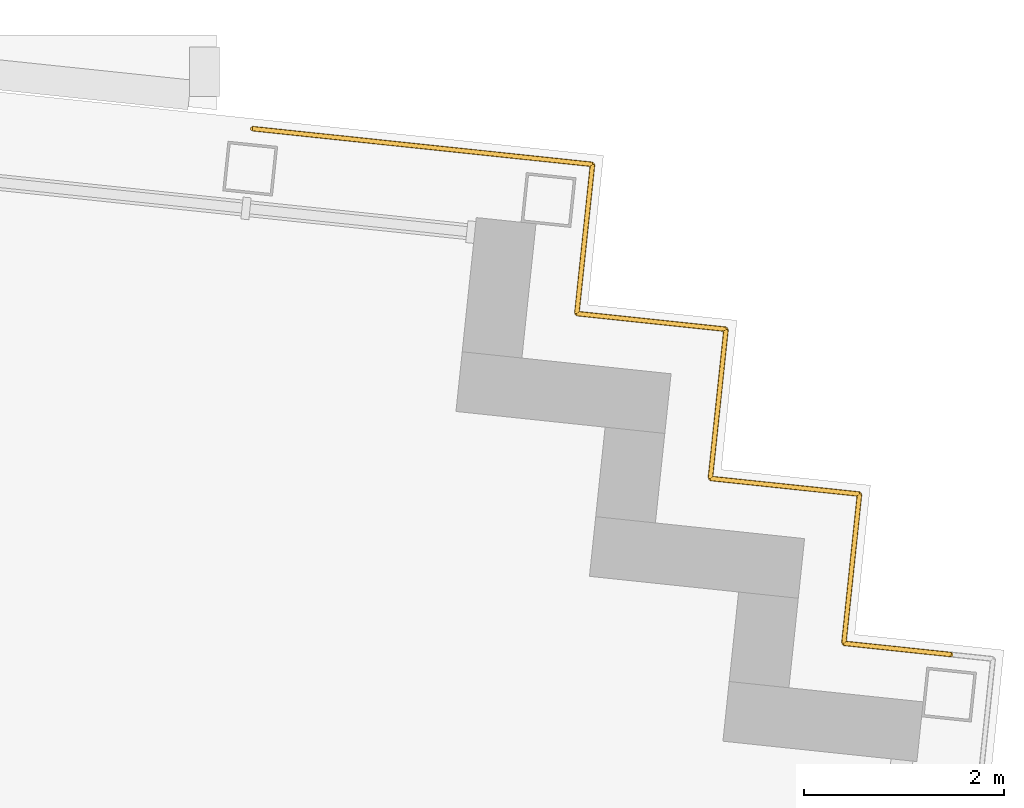
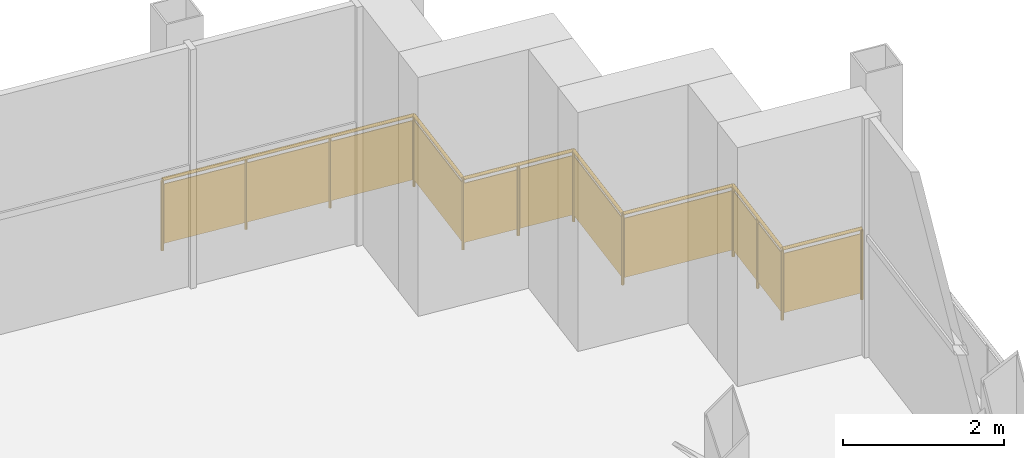
# One storey, part 18 of 18: 1 railing.
"""IFC4 building model written with IfcOpenShell, lengths in metres."""

from ifc_helpers import new_model, si_unit, direction, frame, origin, origin_2d, place, context, subcontext, project, spatial, rectangle, circle, extrude, material, type_object, element, save


model = new_model("IFC4")

# Units and contexts
model_context = context("Model", 3, precision=1e-05, world=origin(), true_north=direction((0.0, 1.0)))
body_context = subcontext(model_context, "Body", "Model", "MODEL_VIEW")
ifc_project = project(units=[si_unit("LENGTHUNIT", "METRE"), si_unit("AREAUNIT", "SQUARE_METRE"), si_unit("VOLUMEUNIT", "CUBIC_METRE"), si_unit("PLANEANGLEUNIT", "RADIAN"), si_unit("MASSUNIT", "GRAM", prefix="KILO")], contexts=[model_context])

# Site, building, storey
site_placement = place(None, origin())
site = spatial("IfcSite", under=ifc_project, at=site_placement, CompositionType="ELEMENT")
building_placement = place(site_placement, origin())
building = spatial("IfcBuilding", under=site, at=building_placement, Name="Vidyagriha Tower", CompositionType="ELEMENT")
storey_placement = place(building_placement, frame((0.0, 0.0, 249.199951171875)))
storey = spatial("IfcBuildingStorey", under=building, at=storey_placement, Name="L64", CompositionType="ELEMENT", Elevation=249.199951171875)

# Railing
ifc_material = material(Name="Steel ASTM A500 Grade C black painted", Category="steel")
railing_type = type_object("IfcRailingType", Name="Gallery guard 1100", PredefinedType="GUARDRAIL", material=ifc_material)
railing_placement = place(storey_placement, frame((25.860107421875, 19.06201171875, 0.0)))
element("IfcRailing", 1, at=railing_placement, inside=storey, type_object=railing_type, Name="Gallery guard L64 5", PredefinedType="GUARDRAIL", context=body_context, shape_type="SweptSolid", body=[
    extrude(circle(Radius=0.02490234375, at=origin_2d()), frame((0.0, 0.0, 1.0751953125), z_axis=(0.994524211941, -0.104506420204, 0.0), x_axis=(0.104506420204, 0.994524211941, 0.0)), (0.0, 0.0, 1.0), 3.420166015625),
    extrude(circle(Radius=0.02490234375, at=origin_2d()), frame((3.4013671875, -0.357421875, 1.0751953125), z_axis=(-0.104659366031, -0.994508128223, 0.0), x_axis=(0.994508128223, -0.104659366031, 0.0)), (0.0, 0.0, 1.0), 1.5),
    extrude(circle(Radius=0.02490234375, at=origin_2d()), frame((3.244384765625, -1.84912109375, 1.0751953125), z_axis=(0.994509910675, -0.104642427191, 0.0), x_axis=(0.104642427191, 0.994509910675, 0.0)), (0.0, 0.0, 1.0), 1.500244140625),
    extrude(circle(Radius=0.02490234375, at=origin_2d()), frame((4.736328125, -2.006103515625, 1.0751953125), z_axis=(-0.104498377516, -0.994525057048, 0.0), x_axis=(0.994525057048, -0.104498377516, 0.0)), (0.0, 0.0, 1.0), 1.5),
    extrude(circle(Radius=0.02490234375, at=origin_2d()), frame((4.57958984375, -3.497802734375, 1.0751953125), z_axis=(0.994525057048, -0.104498377516, 0.0), x_axis=(0.104498377516, 0.994525057048, 0.0)), (0.0, 0.0, 1.0), 1.5),
    extrude(circle(Radius=0.02490234375, at=origin_2d()), frame((6.0712890625, -3.654541015625, 1.0751953125), z_axis=(-0.104481464157, -0.994526834051, 0.0), x_axis=(0.994526834051, -0.104481464157, 0.0)), (0.0, 0.0, 1.0), 1.500244140625),
    extrude(circle(Radius=0.02490234375, at=origin_2d()), frame((5.91455078125, -5.146484375, 1.0751953125), z_axis=(0.994530201065, -0.104449409614, 0.0), x_axis=(0.104449409614, 0.994530201065, 0.0)), (0.0, 0.0, 1.0), 1.079833984375),
    extrude(circle(Radius=0.02001953125, at=origin_2d()), origin(), (0.0, 0.0, 1.0), 1.050048828125),
    extrude(circle(Radius=0.02001953125, at=origin_2d()), frame((1.1337890625, -0.119140625, 0.0)), (0.0, 0.0, 1.0), 1.050048828125),
    extrude(circle(Radius=0.02001953125, at=origin_2d()), frame((2.267578125, -0.23828125, 0.0)), (0.0, 0.0, 1.0), 1.050048828125),
    extrude(circle(Radius=0.02001953125, at=origin_2d()), frame((3.4013671875, -0.357421875, 0.0)), (0.0, 0.0, 1.0), 1.050048828125),
    extrude(circle(Radius=0.02001953125, at=origin_2d()), frame((3.244384765625, -1.84912109375, 0.0)), (0.0, 0.0, 1.0), 1.050048828125),
    extrude(circle(Radius=0.02001953125, at=origin_2d()), frame((3.990234375, -1.927734375, 0.0)), (0.0, 0.0, 1.0), 1.050048828125),
    extrude(circle(Radius=0.02001953125, at=origin_2d()), frame((4.736328125, -2.006103515625, 0.0)), (0.0, 0.0, 1.0), 1.050048828125),
    extrude(circle(Radius=0.02001953125, at=origin_2d()), frame((4.57958984375, -3.497802734375, 0.0)), (0.0, 0.0, 1.0), 1.050048828125),
    extrude(circle(Radius=0.02001953125, at=origin_2d()), frame((6.0712890625, -3.654541015625, 0.0)), (0.0, 0.0, 1.0), 1.050048828125),
    extrude(circle(Radius=0.02001953125, at=origin_2d()), frame((5.992919921875, -4.400390625, 0.0)), (0.0, 0.0, 1.0), 1.050048828125),
    extrude(circle(Radius=0.02001953125, at=origin_2d()), frame((5.91455078125, -5.146484375, 0.0)), (0.0, 0.0, 1.0), 1.050048828125),
    extrude(circle(Radius=0.02001953125, at=origin_2d()), frame((6.988525390625, -5.25927734375, 0.0)), (0.0, 0.0, 1.0), 1.050048828125),
    extrude(rectangle(XDim=0.010009765625, YDim=0.900146484375, at=origin_2d()), frame((0.0, 0.0, 0.550048828125), z_axis=(0.994524211941, -0.104506420204, 0.0), x_axis=(0.104506420204, 0.994524211941, 0.0)), (0.0, 0.0, 1.0), 3.420166015625),
    extrude(rectangle(XDim=0.010009765625, YDim=0.900146484375, at=origin_2d()), frame((3.4013671875, -0.357421875, 0.550048828125), z_axis=(-0.104659366031, -0.994508128223, 0.0), x_axis=(0.994508128223, -0.104659366031, 0.0)), (0.0, 0.0, 1.0), 1.5),
    extrude(rectangle(XDim=0.010009765625, YDim=0.900146484375, at=origin_2d()), frame((3.244384765625, -1.84912109375, 0.550048828125), z_axis=(0.994509910675, -0.104642427191, 0.0), x_axis=(0.104642427191, 0.994509910675, 0.0)), (0.0, 0.0, 1.0), 1.500244140625),
    extrude(rectangle(XDim=0.010009765625, YDim=0.900146484375, at=origin_2d()), frame((4.736328125, -2.006103515625, 0.550048828125), z_axis=(-0.104498377516, -0.994525057048, 0.0), x_axis=(0.994525057048, -0.104498377516, 0.0)), (0.0, 0.0, 1.0), 1.5),
    extrude(rectangle(XDim=0.010009765625, YDim=0.900146484375, at=origin_2d()), frame((4.57958984375, -3.497802734375, 0.550048828125), z_axis=(0.994525057048, -0.104498377516, 0.0), x_axis=(0.104498377516, 0.994525057048, 0.0)), (0.0, 0.0, 1.0), 1.5),
    extrude(rectangle(XDim=0.010009765625, YDim=0.900146484375, at=origin_2d()), frame((6.0712890625, -3.654541015625, 0.550048828125), z_axis=(-0.104481464157, -0.994526834051, 0.0), x_axis=(0.994526834051, -0.104481464157, 0.0)), (0.0, 0.0, 1.0), 1.500244140625),
    extrude(rectangle(XDim=0.010009765625, YDim=0.900146484375, at=origin_2d()), frame((5.91455078125, -5.146484375, 0.550048828125), z_axis=(0.994530201065, -0.104449409614, 0.0), x_axis=(0.104449409614, 0.994530201065, 0.0)), (0.0, 0.0, 1.0), 1.079833984375),
])

save(model, "model.ifc")
